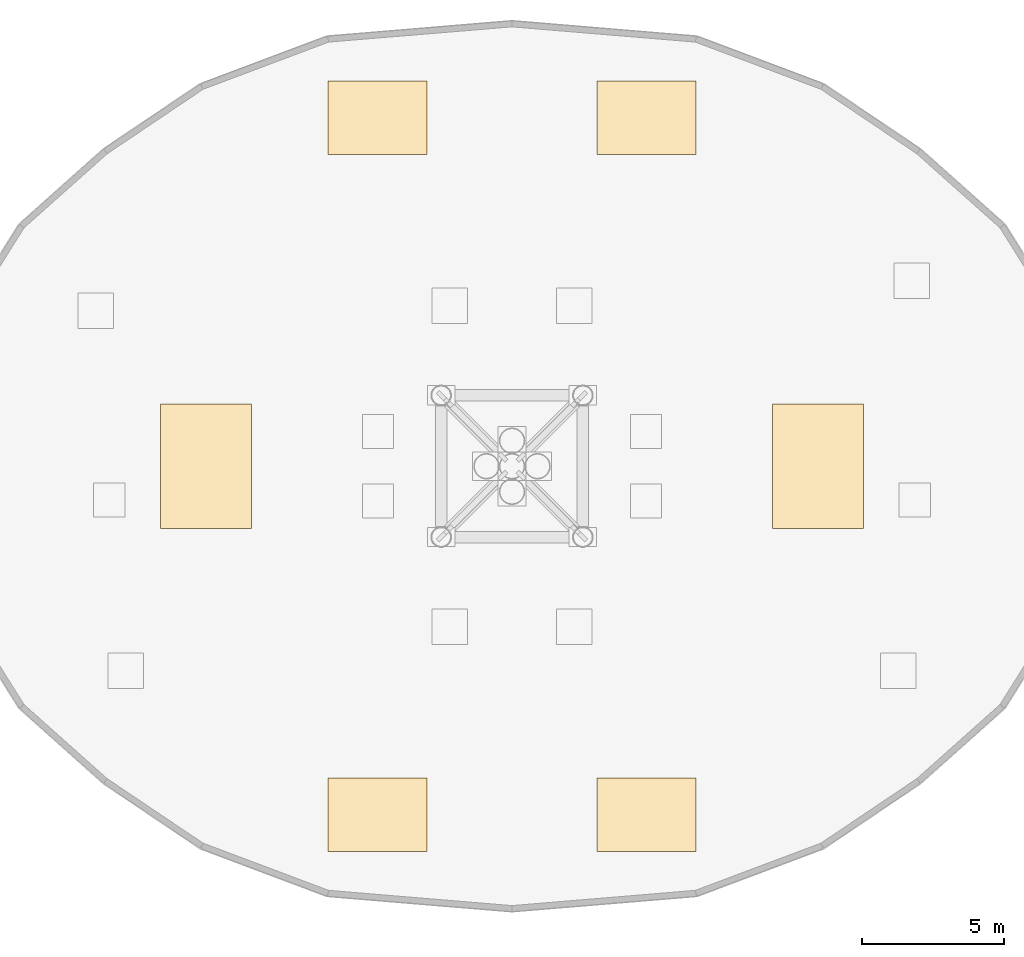
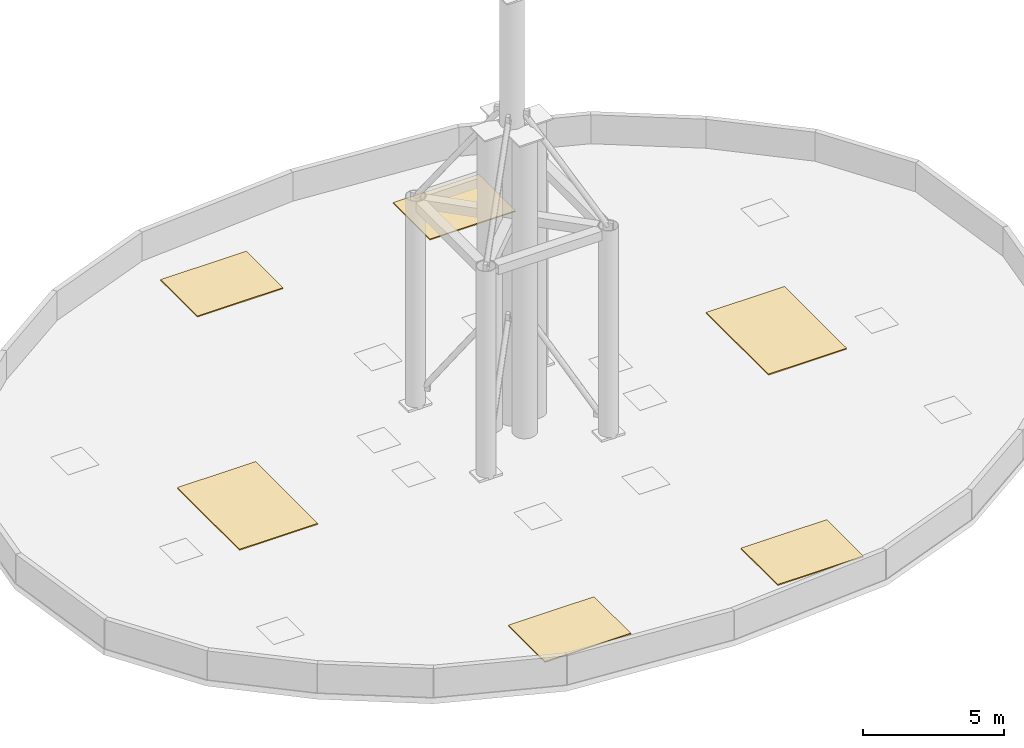
# One storey, part 3 of 3: 6 coverings.
"""IFC4 building model written with IfcOpenShell, lengths in metres."""

from ifc_helpers import new_model, si_unit, direction, frame, origin, place, context, subcontext, project, spatial, polyline, outline, extrude, material, layer, layer_set, type_object, element, save


model = new_model("IFC4")

# Units and contexts
model_context = context("Model", 3, precision=1e-05, world=origin(), true_north=direction((0.0, 1.0)))
body_context = subcontext(model_context, "Body", "Model", "MODEL_VIEW")
ifc_project = project(units=[si_unit("LENGTHUNIT", "METRE"), si_unit("AREAUNIT", "SQUARE_METRE"), si_unit("VOLUMEUNIT", "CUBIC_METRE"), si_unit("PLANEANGLEUNIT", "RADIAN"), si_unit("MASSUNIT", "GRAM", prefix="KILO")], contexts=[model_context])

# Site, building, storey
site_placement = place(None, origin())
site = spatial("IfcSite", under=ifc_project, at=site_placement, CompositionType="ELEMENT")
building_placement = place(site_placement, origin())
building = spatial("IfcBuilding", under=site, at=building_placement, Name="Solvane Sanctuary Tower", CompositionType="ELEMENT")
storey_placement = place(building_placement, frame((0.0, 0.0, 279.60009765625)))
storey = spatial("IfcBuildingStorey", under=building, at=storey_placement, Name="Roof", CompositionType="ELEMENT", Elevation=279.60009765625)

# Coverings
ifc_material = material(Name="Elastomeric Roof Membrane")
ifc_layer = layer(ifc_material, 0.044921875, Name="Elastomeric Roof Membrane")
ifc_layer_set = layer_set([ifc_layer], Name="Elastomeric Roof Membrane")
covering_type = type_object("IfcCoveringType", Name="Covering RFG-MEMBRANE", PredefinedType="ROOFING", material=ifc_layer_set)
covering_1_placement = place(storey_placement, origin())
element("IfcCovering", 1, at=covering_1_placement, inside=storey, type_object=covering_type, Name="Roof Waterproofing Membrane N1", PredefinedType="ROOFING", context=body_context, shape_type="SweptSolid", body=[
    extrude(outline(polyline([(25.5, 34.0), (29.0, 34.0), (29.0, 36.60009765625), (25.5, 36.60009765625), (25.5, 34.0)])), origin(), (0.0, 0.0, 1.0), 0.044921875),
])
covering_2_placement = place(storey_placement, origin())
element("IfcCovering", 2, at=covering_2_placement, inside=storey, type_object=covering_type, Name="Roof Waterproofing Membrane N2", PredefinedType="ROOFING", context=body_context, shape_type="SweptSolid", body=[
    extrude(outline(polyline([(35.0, 34.0), (38.5, 34.0), (38.5, 36.60009765625), (35.0, 36.60009765625), (35.0, 34.0)])), origin(), (0.0, 0.0, 1.0), 0.044921875),
])
covering_3_placement = place(storey_placement, origin())
element("IfcCovering", 3, at=covering_3_placement, inside=storey, type_object=covering_type, Name="Roof Waterproofing Membrane S1", PredefinedType="ROOFING", context=body_context, shape_type="SweptSolid", body=[
    extrude(outline(polyline([(25.5, 9.39990234375), (29.0, 9.39990234375), (29.0, 12.0), (25.5, 12.0), (25.5, 9.39990234375)])), origin(), (0.0, 0.0, 1.0), 0.044921875),
])
covering_4_placement = place(storey_placement, origin())
element("IfcCovering", 4, at=covering_4_placement, inside=storey, type_object=covering_type, Name="Roof Waterproofing Membrane S2", PredefinedType="ROOFING", context=body_context, shape_type="SweptSolid", body=[
    extrude(outline(polyline([(35.0, 9.39990234375), (38.5, 9.39990234375), (38.5, 12.0), (35.0, 12.0), (35.0, 9.39990234375)])), origin(), (0.0, 0.0, 1.0), 0.044921875),
])
covering_5_placement = place(storey_placement, origin())
element("IfcCovering", 5, at=covering_5_placement, inside=storey, type_object=covering_type, Name="Roof Waterproofing Membrane W1", PredefinedType="ROOFING", context=body_context, shape_type="SweptSolid", body=[
    extrude(outline(polyline([(19.60009765625, 20.800048828125), (22.800048828125, 20.800048828125), (22.800048828125, 25.199951171875), (19.60009765625, 25.199951171875), (19.60009765625, 20.800048828125)])), origin(), (0.0, 0.0, 1.0), 0.044921875),
])
covering_6_placement = place(storey_placement, origin())
element("IfcCovering", 6, at=covering_6_placement, inside=storey, type_object=covering_type, Name="Roof Waterproofing Membrane E1", PredefinedType="ROOFING", context=body_context, shape_type="SweptSolid", body=[
    extrude(outline(polyline([(41.199951171875, 20.800048828125), (44.39990234375, 20.800048828125), (44.39990234375, 25.199951171875), (41.199951171875, 25.199951171875), (41.199951171875, 20.800048828125)])), origin(), (0.0, 0.0, 1.0), 0.044921875),
])

save(model, "model.ifc")
